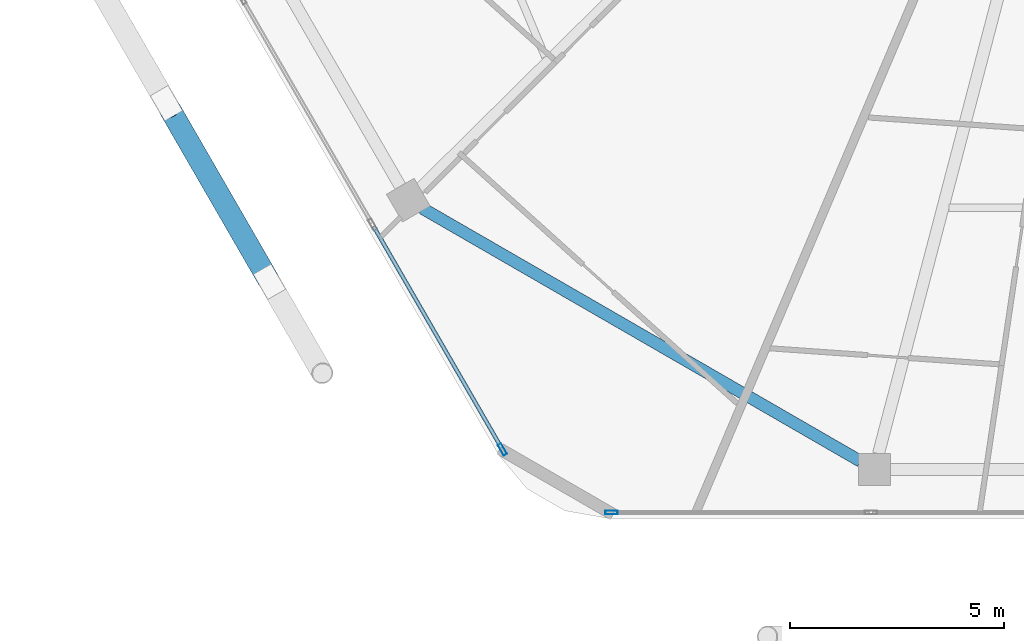
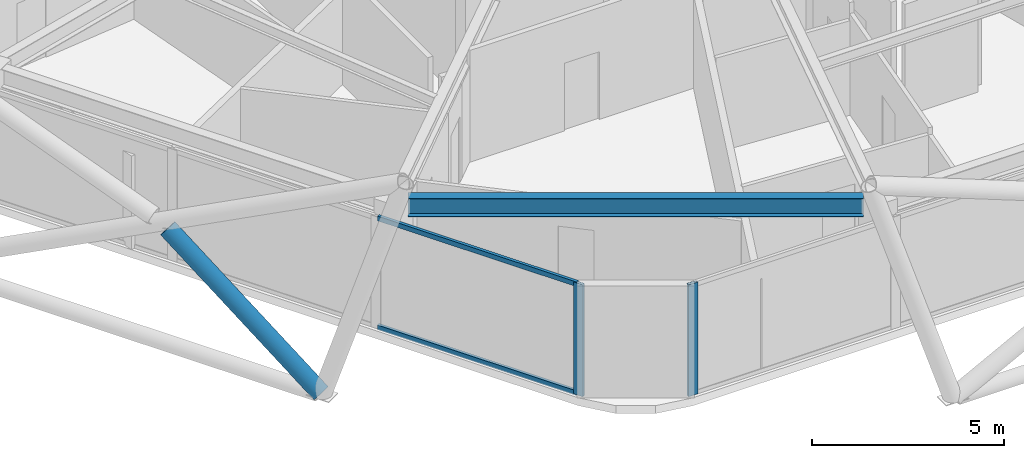
# One storey, part 2 of 24: 5 members, 1 beam, 2 elements without a shape of their own.
"""IFC4 building model written with IfcOpenShell, lengths in metres."""

from ifc_helpers import new_model, si_unit, direction, frame, origin, origin_2d, place, context, subcontext, project, spatial, hollow_rectangle, hollow_circle, i_section, extrude, material, material_profile, profile_set, type_object, element, aggregate, save


model = new_model("IFC4")

# Units and contexts
model_context = context("Model", 3, precision=1e-05, world=origin(), true_north=direction((0.0, 1.0)))
body_context = subcontext(model_context, "Body", "Model", "MODEL_VIEW")
ifc_project = project(units=[si_unit("LENGTHUNIT", "METRE"), si_unit("AREAUNIT", "SQUARE_METRE"), si_unit("VOLUMEUNIT", "CUBIC_METRE"), si_unit("PLANEANGLEUNIT", "RADIAN"), si_unit("MASSUNIT", "GRAM", prefix="KILO")], contexts=[model_context])

# Site, building, storey
site_placement = place(None, origin())
site = spatial("IfcSite", under=ifc_project, at=site_placement, CompositionType="ELEMENT")
building_placement = place(site_placement, origin())
building = spatial("IfcBuilding", under=site, at=building_placement, Name="Zuhravey Tower", CompositionType="ELEMENT")
storey_placement = place(building_placement, frame((0.0, 0.0, 338.60009765625)))
storey = spatial("IfcBuildingStorey", under=building, at=storey_placement, Name="L86", CompositionType="ELEMENT", Elevation=338.60009765625)

# Curtain wall, member
ifc_material_1 = material(Name="Thermally broken anodised aluminium", Category="aluminium")
curtain_wall_type = type_object("IfcCurtainWallType", Name="Zone 3-4 High-Rise Curtain Wall CW4", PredefinedType="NOTDEFINED", material=ifc_material_1)
curtain_wall_1_placement = place(storey_placement, origin())
curtain_wall_1 = element("IfcCurtainWall", 1, at=curtain_wall_1_placement, inside=storey, type_object=curtain_wall_type, Name="L86 CW4 CW-L86-F5-1", PredefinedType="NOTDEFINED")
ifc_material_2 = material(Name="Anodised aluminium", Category="aluminium")
ifc_material_profile_1 = material_profile(ifc_material_2, hollow_rectangle(XDim=0.090087890625, YDim=0.284912109375, WallThickness=0.0048828125, at=origin_2d()), Name="ALU-RHS-90x285x5")
ifc_profile_set_1 = profile_set([ifc_material_profile_1], Name="Anodised aluminium")
member_type_1 = type_object("IfcMemberType", Name="Curtain-Wall Mullion 90x180", PredefinedType="MULLION", material=ifc_profile_set_1)
member_1_placement = place(storey_placement, frame((23.8056640625, 7.92578125, 0.0), z_axis=(0.0, 0.0, 1.0), x_axis=(0.0, -1.0, 0.0)))
member_1 = element("IfcMember", 2, at=member_1_placement, type_object=member_type_1, Name="CW4 mullion 5", PredefinedType="MULLION", context=body_context, shape_type="SweptSolid", body=[
    extrude(hollow_rectangle(XDim=0.090087890625, YDim=0.284912109375, WallThickness=0.0048828125, at=origin_2d()), origin(), (0.0, 0.0, 1.0), 3.5498046875),
])
aggregate(curtain_wall_1, [member_1])

# Curtain wall, members
curtain_wall_2_placement = place(storey_placement, origin())
curtain_wall_2 = element("IfcCurtainWall", 3, at=curtain_wall_2_placement, inside=storey, type_object=curtain_wall_type, Name="L86 CW4 CW-L86-F4-1", PredefinedType="NOTDEFINED")
member_2_placement = place(storey_placement, frame((21.248291015625, 9.40234375, 0.0), z_axis=(0.0, 0.0, 1.0), x_axis=(-0.866025511541, -0.49999981336, 0.0)))
member_2 = element("IfcMember", 4, at=member_2_placement, type_object=member_type_1, Name="CW4 mullion 1", PredefinedType="MULLION", context=body_context, shape_type="SweptSolid", body=[
    extrude(hollow_rectangle(XDim=0.090087890625, YDim=0.284912109375, WallThickness=0.0048828125, at=origin_2d()), origin(), (0.0, 0.0, 1.0), 3.5498046875),
])
ifc_material_profile_2 = material_profile(ifc_material_2, hollow_rectangle(XDim=0.090087890625, YDim=0.14990234375, WallThickness=0.0048828125, at=origin_2d()), Name="ALU-RHS-90x150x5")
ifc_profile_set_2 = profile_set([ifc_material_profile_2], Name="Anodised aluminium")
member_type_2 = type_object("IfcMemberType", Name="Curtain-Wall Transom 90x150", PredefinedType="USERDEFINED", material=ifc_profile_set_2)
member_3_placement = place(storey_placement, frame((21.225830078125, 9.44140625, 0.044921875), z_axis=(-0.499982594807, 0.866035452444, 0.0), x_axis=(-0.866035452444, -0.499982594807, 0.0)))
member_3 = element("IfcMember", 5, at=member_3_placement, type_object=member_type_2, Name="CW4 transom 1.1", ObjectType="TRANSOM", PredefinedType="USERDEFINED", context=body_context, shape_type="SweptSolid", body=[
    extrude(hollow_rectangle(XDim=0.090087890625, YDim=0.14990234375, WallThickness=0.0048828125, at=origin_2d()), origin(), (0.0, 0.0, 1.0), 5.984619140625),
])
member_4_placement = place(storey_placement, frame((21.225830078125, 9.44140625, 3.5048828125), z_axis=(-0.499982594807, 0.866035452444, 0.0), x_axis=(-0.866035452444, -0.499982594807, 0.0)))
member_4 = element("IfcMember", 6, at=member_4_placement, type_object=member_type_2, Name="CW4 transom 1.2", ObjectType="TRANSOM", PredefinedType="USERDEFINED", context=body_context, shape_type="SweptSolid", body=[
    extrude(hollow_rectangle(XDim=0.090087890625, YDim=0.14990234375, WallThickness=0.0048828125, at=origin_2d()), origin(), (0.0, 0.0, 1.0), 5.984619140625),
])
aggregate(curtain_wall_2, [member_2, member_3, member_4])

# Member
ifc_material_3 = material(Name="Steel SM355", Category="steel")
ifc_material_profile_3 = material_profile(ifc_material_3, hollow_circle(Radius=0.25390625, WallThickness=0.02490234375, at=origin_2d()), Name="CHS-508.0x25")
ifc_profile_set_3 = profile_set([ifc_material_profile_3], Name="Steel SM355")
member_type_3 = type_object("IfcMemberType", Name="Exoskeleton Zone 4 Diagrid CHS508x25", PredefinedType="BRACE", material=ifc_profile_set_3)
member_5_placement = place(storey_placement, frame((15.781005859375, 13.35205078125, -0.442626953125), z_axis=(-0.392806164654, 0.680447689995, 0.618622872347), x_axis=(-0.866053230054, -0.499951800389, 0.0)))
element("IfcMember", 7, at=member_5_placement, inside=storey, type_object=member_type_3, Name="L86 Face 4 Split Diagrid Brace 3A", PredefinedType="BRACE", context=body_context, shape_type="SweptSolid", body=[
    extrude(hollow_circle(Radius=0.25390625, WallThickness=0.02490234375, at=origin_2d()), origin(), (0.0, 0.0, 1.0), 5.864013671875),
])

# Beam
ifc_material_profile_4 = material_profile(ifc_material_3, i_section(OverallWidth=0.280029296875, OverallDepth=0.580078125, WebThickness=0.011962890625, FlangeThickness=0.01904296875, at=origin_2d()), Name="H-580x280x12x19")
ifc_profile_set_4 = profile_set([ifc_material_profile_4], Name="Steel SM355")
beam_type = type_object("IfcBeamType", Name="Perimeter Ring Beam H580x280", PredefinedType="BEAM", material=ifc_profile_set_4)
beam_placement = place(storey_placement, frame((19.37255859375, 15.04931640625, 3.260009765625), z_axis=(0.866030838723, -0.499990586292, 0.0), x_axis=(0.499990586292, 0.866030838723, 0.0)))
element("IfcBeam", 8, at=beam_placement, inside=storey, type_object=beam_type, Name="L86 PB4 BM-L86-PB-08", PredefinedType="BEAM", context=body_context, shape_type="SweptSolid", body=[
    extrude(i_section(OverallWidth=0.280029296875, OverallDepth=0.580078125, WebThickness=0.011962890625, FlangeThickness=0.01904296875, at=origin_2d()), origin(), (0.0, 0.0, 1.0), 11.848876953125),
])

save(model, "model.ifc")
